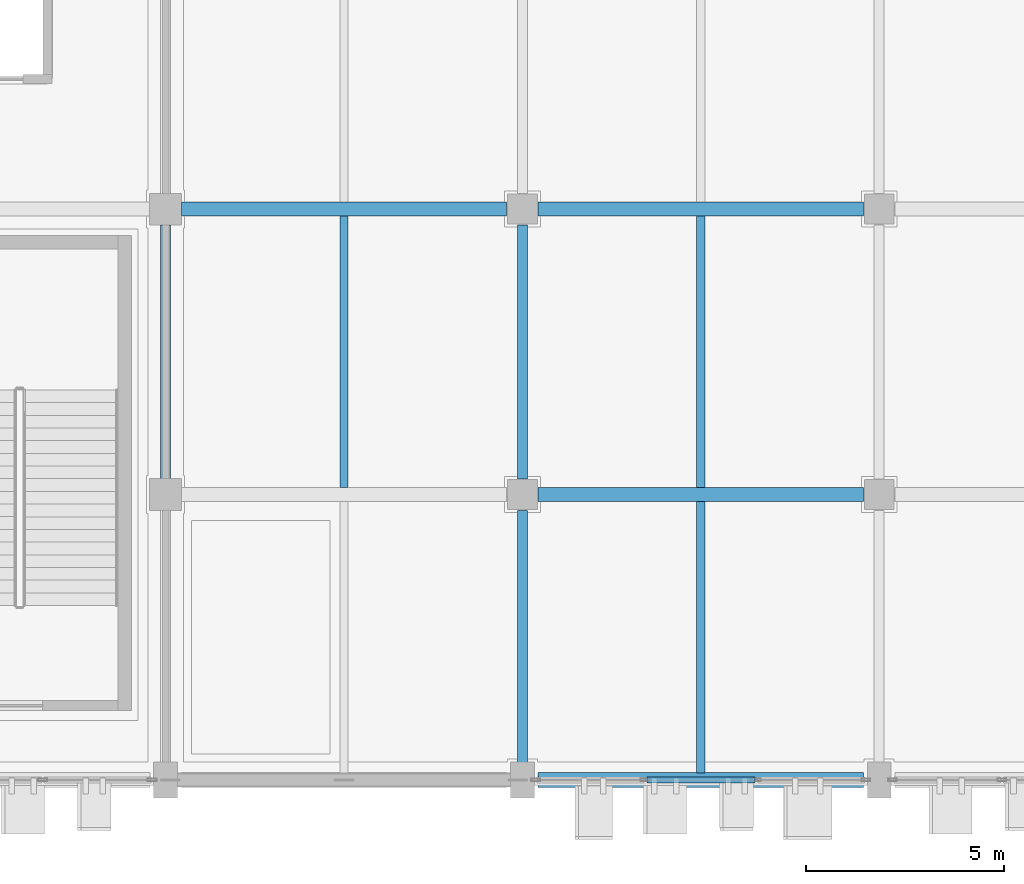
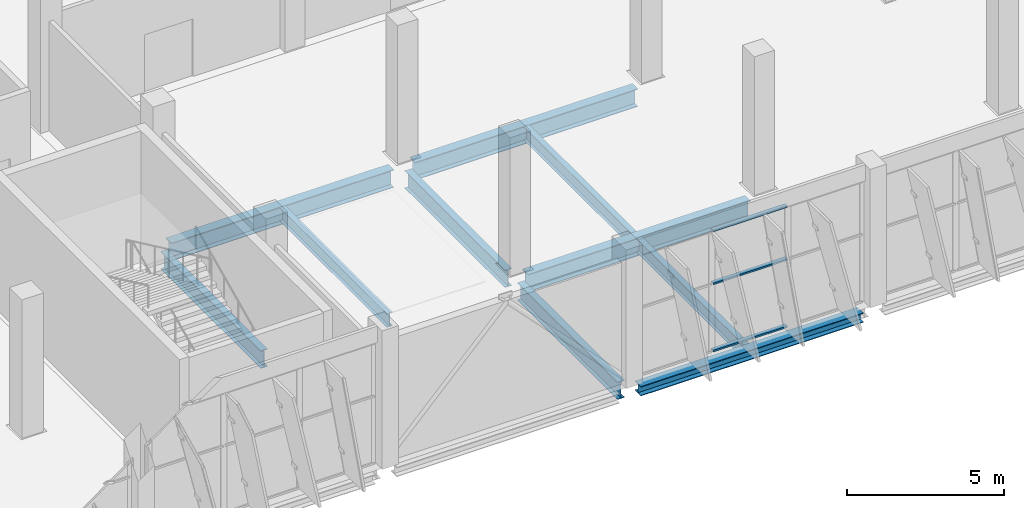
# One storey, part 34 of 137: 10 beams, 3 members, 1 element without a shape of its own.
"""IFC4 building model written with IfcOpenShell, lengths in metres."""

from ifc_helpers import new_model, si_unit, direction, frame, origin, origin_2d, place, context, subcontext, project, spatial, hollow_rectangle, i_section, extrude, material, layer, layer_set, material_profile, profile_set, type_object, element, aggregate, save


model = new_model("IFC4")

# Units and contexts
model_context = context("Model", 3, precision=1e-05, world=origin(), true_north=direction((0.0, 1.0)))
body_context = subcontext(model_context, "Body", "Model", "MODEL_VIEW")
ifc_project = project(units=[si_unit("LENGTHUNIT", "METRE"), si_unit("AREAUNIT", "SQUARE_METRE"), si_unit("VOLUMEUNIT", "CUBIC_METRE"), si_unit("PLANEANGLEUNIT", "RADIAN"), si_unit("MASSUNIT", "GRAM", prefix="KILO")], contexts=[model_context])

# Site, building, storey
site_placement = place(None, origin())
site = spatial("IfcSite", under=ifc_project, at=site_placement, CompositionType="ELEMENT")
building_placement = place(site_placement, origin())
building = spatial("IfcBuilding", under=site, at=building_placement, Name="Celestram Park Convention Centre", CompositionType="ELEMENT")
storey_placement = place(building_placement, origin())
storey = spatial("IfcBuildingStorey", under=building, at=storey_placement, Name="L00", CompositionType="ELEMENT", Elevation=0.0)

# Curtain wall, members
ifc_material_1 = material(Name="Anodised Aluminium Alloy 6063-T6", Category="aluminium")
ifc_layer = layer(ifc_material_1, 0.179931640625)
ifc_layer_set = layer_set([ifc_layer], Name="Anodised Aluminium Alloy 6063-T6")
curtain_wall_type = type_object("IfcCurtainWallType", Name="ARC-CW-840X475", PredefinedType="NOTDEFINED", material=ifc_layer_set)
curtain_wall_placement = place(storey_placement, origin())
curtain_wall = element("IfcCurtainWall", 1, at=curtain_wall_placement, inside=storey, type_object=curtain_wall_type, Name="Unitised curtain wall CU-L00-030", PredefinedType="NOTDEFINED")
ifc_material_profile_1 = material_profile(ifc_material_1, hollow_rectangle(XDim=0.14990234375, YDim=0.06494140625, WallThickness=0.0029296875, at=origin_2d()), Name="ALU150X65X3")
ifc_profile_set_1 = profile_set([ifc_material_profile_1], Name="Anodised Aluminium Alloy 6063-T6")
member_type = type_object("IfcMemberType", Name="ARC-CWT-150", PredefinedType="USERDEFINED", material=ifc_profile_set_1)
member_1_placement = place(storey_placement, frame((176.86328125, 0.0, 0.032470703125), z_axis=(-1.0, 0.0, 0.0), x_axis=(0.0, -1.0, 0.0)))
member_1 = element("IfcMember", 2, at=member_1_placement, type_object=member_type, Name="CW-84X47 transom 2.1", ObjectType="TRANSOM", PredefinedType="USERDEFINED", context=body_context, shape_type="SweptSolid", body=[
    extrude(hollow_rectangle(XDim=0.14990234375, YDim=0.06494140625, WallThickness=0.0029296875, at=origin_2d()), origin(), (0.0, 0.0, 1.0), 2.7265625),
])
member_2_placement = place(storey_placement, frame((176.86328125, 0.0, 2.64990234375), z_axis=(-1.0, 0.0, 0.0), x_axis=(0.0, -1.0, 0.0)))
member_2 = element("IfcMember", 3, at=member_2_placement, type_object=member_type, Name="CW-84X47 transom 2.2", ObjectType="TRANSOM", PredefinedType="USERDEFINED", context=body_context, shape_type="SweptSolid", body=[
    extrude(hollow_rectangle(XDim=0.14990234375, YDim=0.06494140625, WallThickness=0.0029296875, at=origin_2d()), origin(), (0.0, 0.0, 1.0), 2.7265625),
])
member_3_placement = place(storey_placement, frame((176.86328125, 0.0, 4.714599609375), z_axis=(-1.0, 0.0, 0.0), x_axis=(0.0, -1.0, 0.0)))
member_3 = element("IfcMember", 4, at=member_3_placement, type_object=member_type, Name="CW-84X47 transom 2.3", ObjectType="TRANSOM", PredefinedType="USERDEFINED", context=body_context, shape_type="SweptSolid", body=[
    extrude(hollow_rectangle(XDim=0.14990234375, YDim=0.06494140625, WallThickness=0.0029296875, at=origin_2d()), origin(), (0.0, 0.0, 1.0), 2.7265625),
])
aggregate(curtain_wall, [member_1, member_2, member_3])

# Beams
ifc_material_2 = material(Name="Steel ASTM A992 Grade 50", Category="steel")
ifc_material_profile_2 = material_profile(ifc_material_2, i_section(OverallWidth=0.35595703125, OverallDepth=0.696044921875, WebThickness=0.015380859375, FlangeThickness=0.02490234375, at=origin_2d()), Name="W27X146")
ifc_profile_set_2 = profile_set([ifc_material_profile_2], Name="Steel ASTM A992 Grade 50")
beam_type_1 = type_object("IfcBeamType", Name="STR-BM-W27X146", PredefinedType="BEAM", material=ifc_profile_set_2)
for number, where, z_axis, x_axis, name in (
    (5, (162.39794921875, 14.39990234375, -0.66796875), (1.0, 0.0, 0.0), (0.0, 1.0, 0.0), "Primary X-girder BG-L00-0721"),
    (6, (171.39794921875, 7.199951171875, -0.66796875), (1.0, 0.0, 0.0), (0.0, 1.0, 0.0), "Primary X-girder BG-L00-0745"),
    (7, (171.39794921875, 14.39990234375, -0.66796875), (1.0, 0.0, 0.0), (0.0, 1.0, 0.0), "Primary X-girder BG-L00-0747"),
):
    element("IfcBeam", number, at=place(storey_placement, frame(where, z_axis=z_axis, x_axis=x_axis)), inside=storey, type_object=beam_type_1, Name=name, PredefinedType="BEAM", context=body_context, shape_type="SweptSolid", body=[
        extrude(i_section(OverallWidth=0.35595703125, OverallDepth=0.696044921875, WebThickness=0.015380859375, FlangeThickness=0.02490234375, at=origin_2d()), origin(), (0.0, 0.0, 1.0), 8.2041015625),
    ])
ifc_material_profile_3 = material_profile(ifc_material_2, i_section(OverallWidth=0.25390625, OverallDepth=0.68310546875, WebThickness=0.012451171875, FlangeThickness=0.01904296875, at=origin_2d()), Name="W27X94")
ifc_profile_set_3 = profile_set([ifc_material_profile_3], Name="Steel ASTM A992 Grade 50")
beam_type_2 = type_object("IfcBeamType", Name="STR-BM-W27X94", PredefinedType="BEAM", material=ifc_profile_set_3)
for number, where, z_axis, x_axis, name in (
    (8, (162.0, 7.597900390625, -0.66162109375), (0.0, 1.0, 0.0), (-1.0, 0.0, 0.0), "Primary Y-girder BG-L00-0720"),
    (9, (171.0, 0.39794921875, -0.66162109375), (0.0, 1.0, 0.0), (-1.0, 0.0, 0.0), "Primary Y-girder BG-L00-0744"),
    (10, (171.0, 7.597900390625, -0.66162109375), (0.0, 1.0, 0.0), (-1.0, 0.0, 0.0), "Primary Y-girder BG-L00-0746"),
):
    element("IfcBeam", number, at=place(storey_placement, frame(where, z_axis=z_axis, x_axis=x_axis)), inside=storey, type_object=beam_type_2, Name=name, PredefinedType="BEAM", context=body_context, shape_type="SweptSolid", body=[
        extrude(i_section(OverallWidth=0.25390625, OverallDepth=0.68310546875, WebThickness=0.012451171875, FlangeThickness=0.01904296875, at=origin_2d()), origin(), (0.0, 0.0, 1.0), 6.404052734375),
    ])
ifc_material_profile_4 = material_profile(ifc_material_2, i_section(OverallWidth=0.2099609375, OverallDepth=0.532958984375, WebThickness=0.01025390625, FlangeThickness=0.015625, at=origin_2d()), Name="W21X62")
ifc_profile_set_4 = profile_set([ifc_material_profile_4], Name="Steel ASTM A992 Grade 50")
beam_type_3 = type_object("IfcBeamType", Name="STR-JST-W21X62", PredefinedType="JOIST", material=ifc_profile_set_4)
beam_1_placement = place(storey_placement, frame((166.5, 7.3740234375, -0.58642578125), z_axis=(0.0, 1.0, 0.0), x_axis=(-1.0, 0.0, 0.0)))
element("IfcBeam", 11, at=beam_1_placement, inside=storey, type_object=beam_type_3, Name="Secondary composite joist BG-L00-1185", PredefinedType="JOIST", context=body_context, shape_type="SweptSolid", body=[
    extrude(i_section(OverallWidth=0.2099609375, OverallDepth=0.532958984375, WebThickness=0.01025390625, FlangeThickness=0.015625, at=origin_2d()), origin(), (0.0, 0.0, 1.0), 6.85205078125),
])
beam_2_placement = place(storey_placement, frame((175.5, 0.181884765625, -0.58642578125), z_axis=(0.0, 1.0, 0.0), x_axis=(-1.0, 0.0, 0.0)))
element("IfcBeam", 12, at=beam_2_placement, inside=storey, type_object=beam_type_3, Name="Secondary composite joist BG-L00-1196", PredefinedType="JOIST", context=body_context, shape_type="SweptSolid", body=[
    extrude(i_section(OverallWidth=0.2099609375, OverallDepth=0.532958984375, WebThickness=0.01025390625, FlangeThickness=0.015625, at=origin_2d()), origin(), (0.0, 0.0, 1.0), 6.843994140625),
])
beam_3_placement = place(storey_placement, frame((175.5, 7.3740234375, -0.58642578125), z_axis=(0.0, 1.0, 0.0), x_axis=(-1.0, 0.0, 0.0)))
element("IfcBeam", 13, at=beam_3_placement, inside=storey, type_object=beam_type_3, Name="Secondary composite joist BG-L00-1197", PredefinedType="JOIST", context=body_context, shape_type="SweptSolid", body=[
    extrude(i_section(OverallWidth=0.2099609375, OverallDepth=0.532958984375, WebThickness=0.01025390625, FlangeThickness=0.015625, at=origin_2d()), origin(), (0.0, 0.0, 1.0), 6.85205078125),
])
ifc_material_profile_5 = material_profile(ifc_material_2, i_section(OverallWidth=0.373046875, OverallDepth=0.373046875, WebThickness=0.016357421875, FlangeThickness=0.026123046875, at=origin_2d()), Name="W14X132")
ifc_profile_set_5 = profile_set([ifc_material_profile_5], Name="Steel ASTM A992 Grade 50")
beam_type_4 = type_object("IfcBeamType", Name="STR-SPN-W14X132", PredefinedType="SPANDREL", material=ifc_profile_set_5)
beam_4_placement = place(storey_placement, frame((171.39794921875, 0.0, -0.506591796875), z_axis=(1.0, 0.0, 0.0), x_axis=(0.0, 1.0, 0.0)))
element("IfcBeam", 14, at=beam_4_placement, inside=storey, type_object=beam_type_4, Name="Primary X-girder BG-L00-0743", PredefinedType="SPANDREL", context=body_context, shape_type="SweptSolid", body=[
    extrude(i_section(OverallWidth=0.373046875, OverallDepth=0.373046875, WebThickness=0.016357421875, FlangeThickness=0.026123046875, at=origin_2d()), origin(), (0.0, 0.0, 1.0), 8.2041015625),
])

save(model, "model.ifc")
